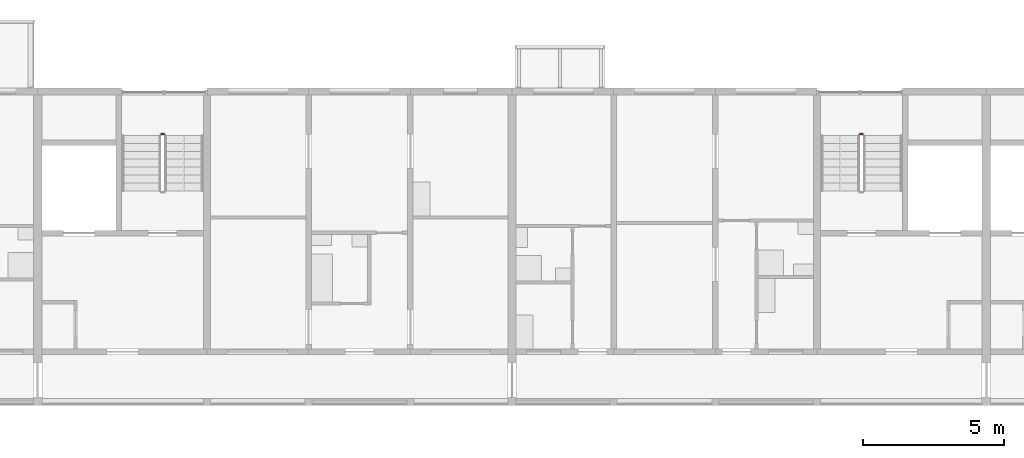
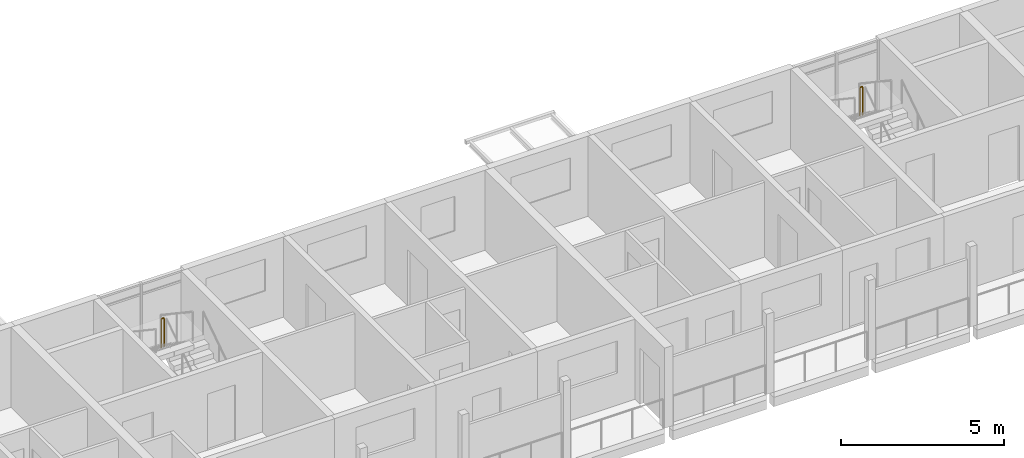
# One storey, part 84 of 100: 2 railings.
"""IFC4 building model written with IfcOpenShell, lengths in metres."""

from ifc_helpers import new_model, si_unit, direction, frame, origin, origin_2d, place, context, subcontext, project, spatial, circle, extrude, material, type_object, element, save


model = new_model("IFC4")

# Units and contexts
model_context = context("Model", 3, precision=1e-05, world=origin(), true_north=direction((0.0, 1.0)))
body_context = subcontext(model_context, "Body", "Model", "MODEL_VIEW")
ifc_project = project(units=[si_unit("LENGTHUNIT", "METRE"), si_unit("AREAUNIT", "SQUARE_METRE"), si_unit("VOLUMEUNIT", "CUBIC_METRE"), si_unit("PLANEANGLEUNIT", "RADIAN"), si_unit("MASSUNIT", "GRAM", prefix="KILO")], contexts=[model_context])

# Site, building, storey
site_placement = place(None, origin())
site = spatial("IfcSite", under=ifc_project, at=site_placement, CompositionType="ELEMENT")
building_placement = place(site_placement, origin())
building = spatial("IfcBuilding", under=site, at=building_placement, Name="Ridgestep Commons", CompositionType="ELEMENT")
storey_placement = place(building_placement, frame((0.0, 0.0, 9.0)))
storey = spatial("IfcBuildingStorey", under=building, at=storey_placement, Name="L03", CompositionType="ELEMENT", Elevation=9.0)

# Railings
ifc_material = material(Name="Structural steel S355JR", Category="steel")
railing_type = type_object("IfcRailingType", Name="Stair guard 1100", PredefinedType="GUARDRAIL", material=ifc_material)
for number, where, name in (
    (1, (50.074951171875, 75.610107421875, 1.5), "L03 B3C stair guard 2"),
    (2, (74.824951171875, 75.610107421875, 1.5), "L03 B4C stair guard 2"),
):
    element("IfcRailing", number, at=place(storey_placement, frame(where)), inside=storey, type_object=railing_type, Name=name, PredefinedType="GUARDRAIL", context=body_context, shape_type="SweptSolid", body=[
        extrude(circle(Radius=0.02392578125, at=origin_2d()), frame((0.0, 0.0, 1.076171875), z_axis=(-1.0, 0.0, 0.0), x_axis=(0.0, -1.0, 0.0)), (0.0, 0.0, 1.0), 0.099853515625),
        extrude(circle(Radius=0.02099609375, at=origin_2d()), origin(), (0.0, 0.0, 1.0), 1.052001953125),
        extrude(circle(Radius=0.02099609375, at=origin_2d()), frame((-0.099853515625, 0.0, 0.0)), (0.0, 0.0, 1.0), 1.052001953125),
    ])

save(model, "model.ifc")
